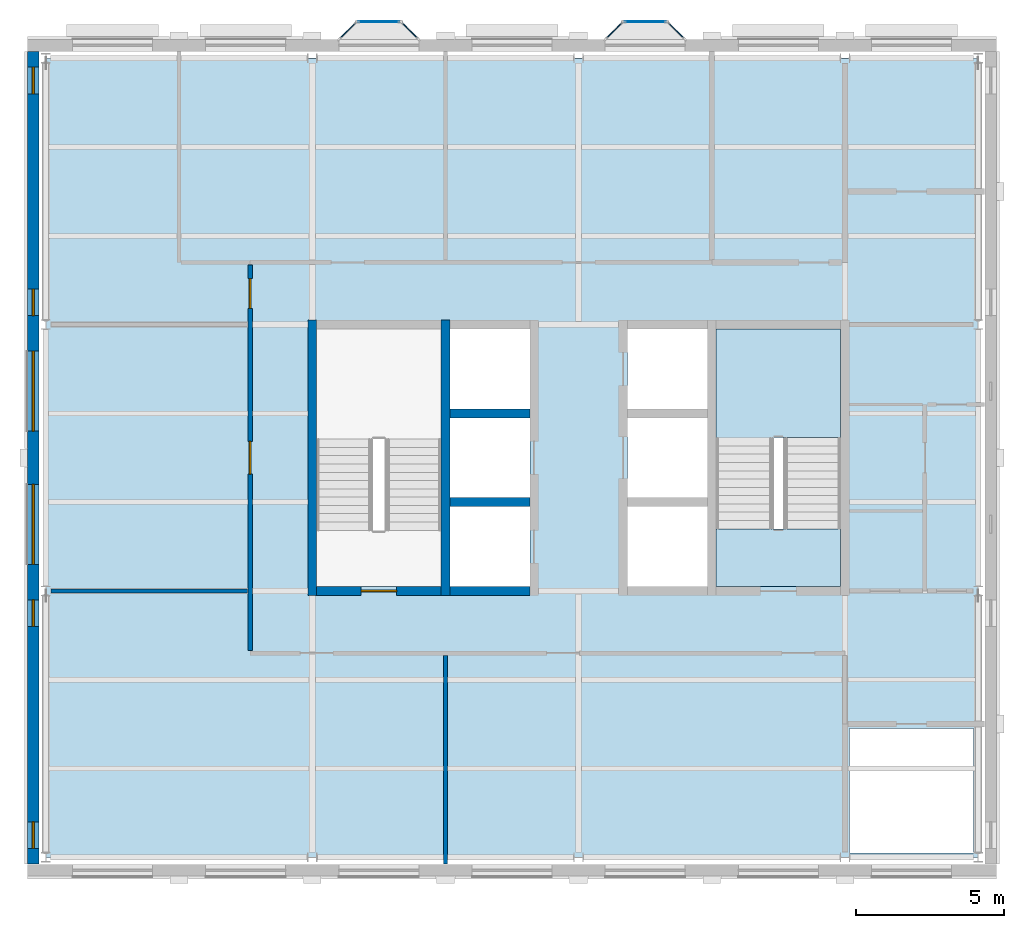
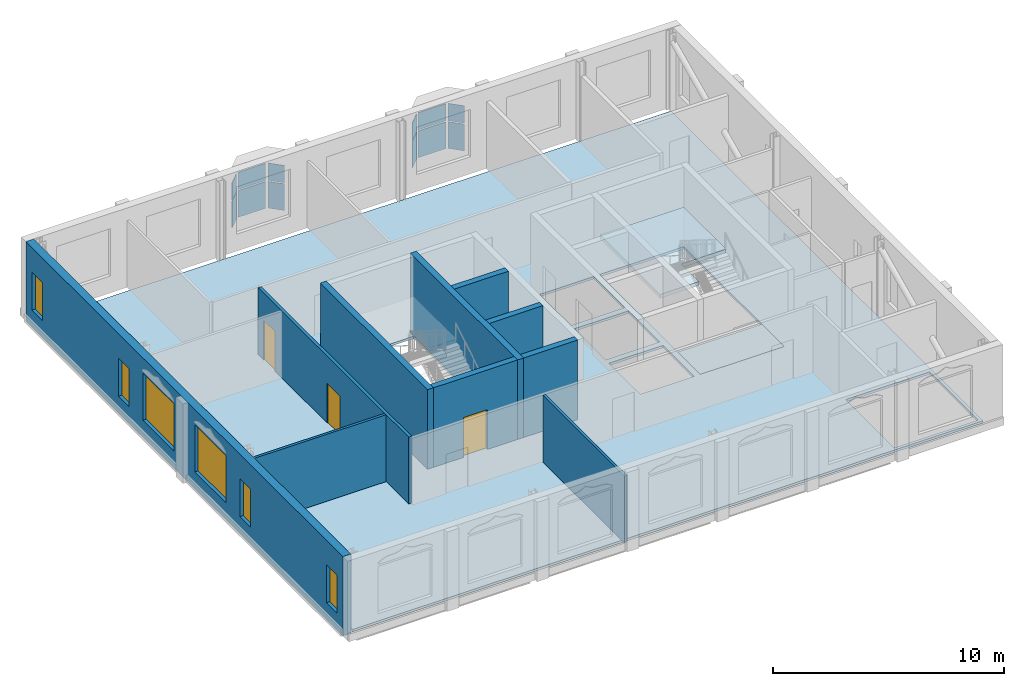
# One storey, part 3 of 9: 12 plates, 10 walls, 6 windows, 3 doors, 3 slabs, 9 openings, 7 elements without a shape of their own.
"""IFC4 building model written with IfcOpenShell, lengths in metres."""

from ifc_helpers import new_model, si_unit, direction, frame, frame_2d, origin, origin_2d, place, context, subcontext, project, spatial, polyline, rectangle, outline, extrude, material, layer, layer_set, type_object, element, fill, aggregate, save


model = new_model("IFC4")

# Units and contexts
model_context = context("Model", 3, precision=1e-05, world=origin(), true_north=direction((0.0, 1.0)))
body_context = subcontext(model_context, "Body", "Model", "MODEL_VIEW")
ifc_project = project(units=[si_unit("LENGTHUNIT", "METRE"), si_unit("AREAUNIT", "SQUARE_METRE"), si_unit("VOLUMEUNIT", "CUBIC_METRE"), si_unit("PLANEANGLEUNIT", "RADIAN"), si_unit("MASSUNIT", "GRAM", prefix="KILO")], contexts=[model_context])

# Site, building, storey
site_placement = place(None, origin())
site = spatial("IfcSite", under=ifc_project, at=site_placement, CompositionType="ELEMENT")
building_placement = place(site_placement, origin())
building = spatial("IfcBuilding", under=site, at=building_placement, Name="Hortulan Conservatory and Botanical Research Centre", CompositionType="ELEMENT")
storey_placement = place(building_placement, frame((0.0, 0.0, 31.800048828125)))
storey = spatial("IfcBuildingStorey", under=building, at=storey_placement, Name="L07", CompositionType="ELEMENT", Elevation=31.800048828125)

# Slab
ifc_material_1 = material(Name="Concrete N32 (32 MPa, AS 3600)", Category="concrete")
ifc_layer_1 = layer(ifc_material_1, 0.1298828125)
ifc_layer_set_1 = layer_set([ifc_layer_1], Name="Composite Floor Slab 130")
slab_type_1 = type_object("IfcSlabType", Name="Composite Floor Slab 130", PredefinedType="FLOOR", material=ifc_layer_set_1)
slab_1_placement = place(storey_placement, frame((0.0, 0.0, -0.130126953125)))
element("IfcSlab", 1, at=slab_1_placement, inside=storey, type_object=slab_type_1, Name="Floor slab", PredefinedType="FLOOR", context=body_context, shape_type="SweptSolid", body=[
    extrude(outline(polyline([(0.0, 0.0), (31.5, 0.0), (31.5, 27.0), (0.0, 27.0), (0.0, 0.0)]), holes=[polyline([(27.14990234375, 4.35009765625), (27.14990234375, 0.14990234375), (31.35009765625, 0.14990234375), (31.35009765625, 4.35009765625), (27.14990234375, 4.35009765625)]), polyline([(13.64990234375, 11.85009765625), (13.64990234375, 9.14990234375), (16.35009765625, 9.14990234375), (16.35009765625, 11.85009765625), (13.64990234375, 11.85009765625)]), polyline([(19.64990234375, 11.85009765625), (19.64990234375, 9.14990234375), (22.35009765625, 9.14990234375), (22.35009765625, 11.85009765625), (19.64990234375, 11.85009765625)]), polyline([(9.14990234375, 17.85009765625), (9.14990234375, 9.14990234375), (13.35009765625, 9.14990234375), (13.35009765625, 17.85009765625), (9.14990234375, 17.85009765625)]), polyline([(13.64990234375, 14.85009765625), (13.64990234375, 12.14990234375), (16.35009765625, 12.14990234375), (16.35009765625, 14.85009765625), (13.64990234375, 14.85009765625)]), polyline([(19.64990234375, 14.85009765625), (19.64990234375, 12.14990234375), (22.35009765625, 12.14990234375), (22.35009765625, 14.85009765625), (19.64990234375, 14.85009765625)]), polyline([(22.64990234375, 17.85009765625), (22.64990234375, 9.14990234375), (26.85009765625, 9.14990234375), (26.85009765625, 17.85009765625), (22.64990234375, 17.85009765625)]), polyline([(16.35009765625, 17.85009765625), (13.64990234375, 17.85009765625), (13.64990234375, 15.14990234375), (16.35009765625, 15.14990234375), (16.35009765625, 17.85009765625)]), polyline([(22.35009765625, 17.85009765625), (19.64990234375, 17.85009765625), (19.64990234375, 15.14990234375), (22.35009765625, 15.14990234375), (22.35009765625, 17.85009765625)])]), origin(), (0.0, 0.0, 1.0), 0.130126953125),
])

# Curtain wall, plates
ifc_material_2 = material(Name="Bronze-finished aluminium", Category="aluminium")
ifc_layer_2 = layer(ifc_material_2, 0.10009765625)
ifc_layer_set_2 = layer_set([ifc_layer_2], Name="Oriel Curtain Wall 1350 module")
curtain_wall_type = type_object("IfcCurtainWallType", Name="Oriel Curtain Wall 1350 module", PredefinedType="NOTDEFINED", material=ifc_layer_set_2)
curtain_wall_1_placement = place(storey_placement, origin())
curtain_wall_1 = element("IfcCurtainWall", 2, at=curtain_wall_1_placement, inside=storey, type_object=curtain_wall_type, Name="Oriel glazing", PredefinedType="NOTDEFINED")
ifc_material_3 = material(Name="Low-e laminated glass", Category="glass")
ifc_layer_3 = layer(ifc_material_3, 0.028076171875)
ifc_layer_set_3 = layer_set([ifc_layer_3], Name="Laminated Glass Panel 28")
plate_type = type_object("IfcPlateType", Name="Laminated Glass Panel 28", PredefinedType="CURTAIN_PANEL", material=ifc_layer_set_3)
plate_1_placement = place(storey_placement, frame((10.199951171875, 27.93603515625, 0.9599609375), z_axis=(0.0, 0.0, 1.0), x_axis=(0.707106781187, 0.707106781187, 0.0)))
plate_1 = element("IfcPlate", 3, at=plate_1_placement, type_object=plate_type, Name="CW2 panel 1.1", PredefinedType="CURTAIN_PANEL", context=body_context, shape_type="SweptSolid", body=[
    extrude(rectangle(XDim=0.728515625, YDim=0.028076171875, at=origin_2d()), origin(), (0.0, 0.0, 1.0), 1.409912109375),
])
plate_2_placement = place(storey_placement, frame((10.199951171875, 27.93603515625, 2.43017578125), z_axis=(0.0, 0.0, 1.0), x_axis=(0.707106781187, 0.707106781187, 0.0)))
plate_2 = element("IfcPlate", 4, at=plate_2_placement, type_object=plate_type, Name="CW2 panel 1.2", PredefinedType="CURTAIN_PANEL", context=body_context, shape_type="SweptSolid", body=[
    extrude(rectangle(XDim=0.728515625, YDim=0.028076171875, at=origin_2d()), origin(), (0.0, 0.0, 1.0), 0.909912109375),
])
aggregate(curtain_wall_1, [plate_1, plate_2])

curtain_wall_2_placement = place(storey_placement, origin())
curtain_wall_2 = element("IfcCurtainWall", 5, at=curtain_wall_2_placement, inside=storey, type_object=curtain_wall_type, Name="Oriel glazing", PredefinedType="NOTDEFINED")
plate_3_placement = place(storey_placement, frame((11.25, 28.236083984375, 0.9599609375), z_axis=(0.0, 0.0, 1.0), x_axis=(1.0, 0.0, 0.0)))
plate_3 = element("IfcPlate", 6, at=plate_3_placement, type_object=plate_type, Name="CW2 panel 1.1", PredefinedType="CURTAIN_PANEL", context=body_context, shape_type="SweptSolid", body=[
    extrude(rectangle(XDim=1.3798828125, YDim=0.028076171875, at=origin_2d()), origin(), (0.0, 0.0, 1.0), 1.409912109375),
])
plate_4_placement = place(storey_placement, frame((11.25, 28.236083984375, 2.43017578125), z_axis=(0.0, 0.0, 1.0), x_axis=(1.0, 0.0, 0.0)))
plate_4 = element("IfcPlate", 7, at=plate_4_placement, type_object=plate_type, Name="CW2 panel 1.2", PredefinedType="CURTAIN_PANEL", context=body_context, shape_type="SweptSolid", body=[
    extrude(rectangle(XDim=1.3798828125, YDim=0.028076171875, at=origin_2d()), origin(), (0.0, 0.0, 1.0), 0.909912109375),
])
aggregate(curtain_wall_2, [plate_3, plate_4])

curtain_wall_3_placement = place(storey_placement, origin())
curtain_wall_3 = element("IfcCurtainWall", 8, at=curtain_wall_3_placement, inside=storey, type_object=curtain_wall_type, Name="Oriel glazing", PredefinedType="NOTDEFINED")
plate_5_placement = place(storey_placement, frame((12.300048828125, 27.93603515625, 0.9599609375), z_axis=(0.0, 0.0, 1.0), x_axis=(0.707106781187, -0.707106781187, 0.0)))
plate_5 = element("IfcPlate", 9, at=plate_5_placement, type_object=plate_type, Name="CW2 panel 1.1", PredefinedType="CURTAIN_PANEL", context=body_context, shape_type="SweptSolid", body=[
    extrude(rectangle(XDim=0.728515625, YDim=0.028076171875, at=origin_2d()), origin(), (0.0, 0.0, 1.0), 1.409912109375),
])
plate_6_placement = place(storey_placement, frame((12.300048828125, 27.93603515625, 2.43017578125), z_axis=(0.0, 0.0, 1.0), x_axis=(0.707106781187, -0.707106781187, 0.0)))
plate_6 = element("IfcPlate", 10, at=plate_6_placement, type_object=plate_type, Name="CW2 panel 1.2", PredefinedType="CURTAIN_PANEL", context=body_context, shape_type="SweptSolid", body=[
    extrude(rectangle(XDim=0.728515625, YDim=0.028076171875, at=origin_2d()), origin(), (0.0, 0.0, 1.0), 0.909912109375),
])
aggregate(curtain_wall_3, [plate_5, plate_6])

curtain_wall_4_placement = place(storey_placement, origin())
curtain_wall_4 = element("IfcCurtainWall", 11, at=curtain_wall_4_placement, inside=storey, type_object=curtain_wall_type, Name="Oriel glazing", PredefinedType="NOTDEFINED")
plate_7_placement = place(storey_placement, frame((19.199951171875, 27.93603515625, 0.9599609375), z_axis=(0.0, 0.0, 1.0), x_axis=(0.707106781187, 0.707106781187, 0.0)))
plate_7 = element("IfcPlate", 12, at=plate_7_placement, type_object=plate_type, Name="CW2 panel 1.1", PredefinedType="CURTAIN_PANEL", context=body_context, shape_type="SweptSolid", body=[
    extrude(rectangle(XDim=0.728515625, YDim=0.028076171875, at=origin_2d()), origin(), (0.0, 0.0, 1.0), 1.409912109375),
])
plate_8_placement = place(storey_placement, frame((19.199951171875, 27.93603515625, 2.43017578125), z_axis=(0.0, 0.0, 1.0), x_axis=(0.707106781187, 0.707106781187, 0.0)))
plate_8 = element("IfcPlate", 13, at=plate_8_placement, type_object=plate_type, Name="CW2 panel 1.2", PredefinedType="CURTAIN_PANEL", context=body_context, shape_type="SweptSolid", body=[
    extrude(rectangle(XDim=0.728515625, YDim=0.028076171875, at=origin_2d()), origin(), (0.0, 0.0, 1.0), 0.909912109375),
])
aggregate(curtain_wall_4, [plate_7, plate_8])

curtain_wall_5_placement = place(storey_placement, origin())
curtain_wall_5 = element("IfcCurtainWall", 14, at=curtain_wall_5_placement, inside=storey, type_object=curtain_wall_type, Name="Oriel glazing", PredefinedType="NOTDEFINED")
plate_9_placement = place(storey_placement, frame((20.25, 28.236083984375, 0.9599609375), z_axis=(0.0, 0.0, 1.0), x_axis=(1.0, 0.0, 0.0)))
plate_9 = element("IfcPlate", 15, at=plate_9_placement, type_object=plate_type, Name="CW2 panel 1.1", PredefinedType="CURTAIN_PANEL", context=body_context, shape_type="SweptSolid", body=[
    extrude(rectangle(XDim=1.3798828125, YDim=0.028076171875, at=origin_2d()), origin(), (0.0, 0.0, 1.0), 1.409912109375),
])
plate_10_placement = place(storey_placement, frame((20.25, 28.236083984375, 2.43017578125), z_axis=(0.0, 0.0, 1.0), x_axis=(1.0, 0.0, 0.0)))
plate_10 = element("IfcPlate", 16, at=plate_10_placement, type_object=plate_type, Name="CW2 panel 1.2", PredefinedType="CURTAIN_PANEL", context=body_context, shape_type="SweptSolid", body=[
    extrude(rectangle(XDim=1.3798828125, YDim=0.028076171875, at=origin_2d()), origin(), (0.0, 0.0, 1.0), 0.909912109375),
])
aggregate(curtain_wall_5, [plate_9, plate_10])

curtain_wall_6_placement = place(storey_placement, origin())
curtain_wall_6 = element("IfcCurtainWall", 17, at=curtain_wall_6_placement, inside=storey, type_object=curtain_wall_type, Name="Oriel glazing", PredefinedType="NOTDEFINED")
plate_11_placement = place(storey_placement, frame((21.300048828125, 27.93603515625, 0.9599609375), z_axis=(0.0, 0.0, 1.0), x_axis=(0.707106781187, -0.707106781187, 0.0)))
plate_11 = element("IfcPlate", 18, at=plate_11_placement, type_object=plate_type, Name="CW2 panel 1.1", PredefinedType="CURTAIN_PANEL", context=body_context, shape_type="SweptSolid", body=[
    extrude(rectangle(XDim=0.728515625, YDim=0.028076171875, at=origin_2d()), origin(), (0.0, 0.0, 1.0), 1.409912109375),
])
plate_12_placement = place(storey_placement, frame((21.300048828125, 27.93603515625, 2.43017578125), z_axis=(0.0, 0.0, 1.0), x_axis=(0.707106781187, -0.707106781187, 0.0)))
plate_12 = element("IfcPlate", 19, at=plate_12_placement, type_object=plate_type, Name="CW2 panel 1.2", PredefinedType="CURTAIN_PANEL", context=body_context, shape_type="SweptSolid", body=[
    extrude(rectangle(XDim=0.728515625, YDim=0.028076171875, at=origin_2d()), origin(), (0.0, 0.0, 1.0), 0.909912109375),
])
aggregate(curtain_wall_6, [plate_11, plate_12])

# Stair, slab
ifc_material_4 = material(Name="Concrete N40 (40 MPa, AS 3600)", Category="concrete")
stair_type = type_object("IfcStairType", Name="Concrete Escape Stair 1950", PredefinedType="HALF_TURN_STAIR", material=ifc_material_4)
stair_placement = place(storey_placement, origin())
stair = element("IfcStair", 20, at=stair_placement, inside=storey, type_object=stair_type, Name="Stair T2 L07", PredefinedType="HALF_TURN_STAIR")
ifc_layer_4 = layer(ifc_material_4, 0.199951171875)
ifc_layer_set_4 = layer_set([ifc_layer_4], Name="Stair Landing 200")
slab_type_2 = type_object("IfcSlabType", Name="Stair Landing 200", PredefinedType="LANDING", material=ifc_layer_set_4)
slab_2_placement = place(storey_placement, frame((0.0, 0.0, 1.89990234375)))
slab_2 = element("IfcSlab", 21, at=slab_2_placement, type_object=slab_type_2, Name="Stair T2 L07 half landing 1", PredefinedType="LANDING", context=body_context, shape_type="SweptSolid", body=[
    extrude(outline(polyline([(26.85009765625, 14.179443359375), (24.60009765625, 14.179443359375), (24.60009765625, 12.639892578125), (22.64990234375, 12.639892578125), (22.64990234375, 14.179443359375), (22.64990234375, 14.179931640625), (22.64990234375, 14.18994140625), (22.64990234375, 17.85009765625), (26.85009765625, 17.85009765625), (26.85009765625, 14.18994140625), (26.85009765625, 14.179931640625), (26.85009765625, 14.179443359375)])), origin(), (0.0, 0.0, 1.0), 0.199951171875),
])
aggregate(stair, [slab_2])

# Slab
slab_3_placement = place(storey_placement, frame((0.0, 0.0, -0.199951171875)))
element("IfcSlab", 22, at=slab_3_placement, inside=storey, type_object=slab_type_2, Name="Stair T2 floor landing L07", PredefinedType="LANDING", context=body_context, shape_type="SweptSolid", body=[
    extrude(outline(polyline([(26.85009765625, 9.14990234375), (22.64990234375, 9.14990234375), (22.64990234375, 11.10009765625), (26.85009765625, 11.10009765625), (26.85009765625, 9.14990234375)])), origin(), (0.0, 0.0, 1.0), 0.199951171875),
])

# Walls
ifc_material_5 = material(Name="Concrete N50 (50 MPa, AS 3600)", Category="concrete")
ifc_layer_5 = layer(ifc_material_5, 0.300048828125)
ifc_layer_set_5 = layer_set([ifc_layer_5], Name="Core Wall 300 N50 FRL 240/120/120")
wall_type_1 = type_object("IfcWallType", Name="Core Wall 300 N50 FRL 240/120/120", PredefinedType="SHEAR", material=ifc_layer_set_5)
for number, where, z_axis, x_axis, name in (
    (23, (9.0, 8.85009765625, 0.0), (0.0, 0.0, 1.0), (0.0, 1.0, 0.0), "Reinforced concrete shaft wall"),
    (24, (13.5, 8.85009765625, 0.0), (0.0, 0.0, 1.0), (0.0, 1.0, 0.0), "Reinforced concrete shaft wall"),
):
    element("IfcWall", number, at=place(storey_placement, frame(where, z_axis=z_axis, x_axis=x_axis)), inside=storey, type_object=wall_type_1, Name=name, PredefinedType="SHEAR", context=body_context, shape_type="SweptSolid", body=[
        extrude(rectangle(XDim=9.2998046875, YDim=0.300048828125, at=frame_2d((4.64990234375, 0.0))), origin(), (0.0, 0.0, 1.0), 4.199951171875),
    ])

# Wall, opening, door
wall_1_placement = place(storey_placement, frame((9.14990234375, 9.0, 0.0), z_axis=(0.0, 0.0, 1.0), x_axis=(1.0, 0.0, 0.0)))
wall_1 = element("IfcWall", 25, at=wall_1_placement, inside=storey, type_object=wall_type_1, Name="Reinforced concrete shaft wall", PredefinedType="SHEAR", context=body_context, shape_type="SweptSolid", body=[
    extrude(rectangle(XDim=4.2001953125, YDim=0.300048828125, at=frame_2d((2.10009765625, 0.0))), origin(), (0.0, 0.0, 1.0), 4.199951171875),
])
opening_1_placement = place(wall_1_placement, frame((1.5, 0.0, 0.0)))
opening_1 = element("IfcOpeningElement", 26, at=opening_1_placement, cuts=wall_1, Name="Opening DT5", PredefinedType="OPENING", context=body_context, shape_type="SweptSolid", body=[
    extrude(rectangle(XDim=1.199951171875, YDim=2.10009765625, at=frame_2d((0.60009765625, 1.050048828125))), frame((0.0, 0.159912109375, 0.0), z_axis=(0.0, -1.0, 0.0), x_axis=(1.0, 0.0, 0.0)), (0.0, 0.0, 1.0), 0.320068359375),
])
ifc_material_6 = material(Name="Steel door leaf, insulated", Category="steel")
door_type_1 = type_object("IfcDoorType", Name="Stair Door 1200x2100 FRL -/120/30", OperationType="NOTDEFINED", PredefinedType="DOOR", material=ifc_material_6)
door_1_placement = place(opening_1_placement, origin())
door_1 = element("IfcDoor", 27, at=door_1_placement, inside=storey, type_object=door_type_1, Name="Door DT5 Exit Stair T1", OperationType="SINGLE_SWING_RIGHT", OverallHeight=2.10009765625, OverallWidth=1.199951171875, PredefinedType="DOOR", context=body_context, shape_type="SweptSolid", body=[
    extrude(rectangle(XDim=1.199951171875, YDim=2.10009765625, at=frame_2d((0.60009765625, 1.050048828125))), frame((0.0, 0.02490234375, 0.0), z_axis=(0.0, -1.0, 0.0), x_axis=(1.0, 0.0, 0.0)), (0.0, 0.0, 1.0), 0.050048828125),
])
fill(opening_1, door_1)

# Walls
for number, where, z_axis, x_axis, name in (
    (28, (13.64990234375, 9.0, 0.0), (0.0, 0.0, 1.0), (1.0, 0.0, 0.0), "Reinforced concrete shaft wall"),
    (29, (13.64990234375, 12.0, 0.0), (0.0, 0.0, 1.0), (1.0, 0.0, 0.0), "Reinforced concrete shaft wall"),
    (30, (13.64990234375, 15.0, 0.0), (0.0, 0.0, 1.0), (1.0, 0.0, 0.0), "Reinforced concrete shaft wall"),
):
    element("IfcWall", number, at=place(storey_placement, frame(where, z_axis=z_axis, x_axis=x_axis)), inside=storey, type_object=wall_type_1, Name=name, PredefinedType="SHEAR", context=body_context, shape_type="SweptSolid", body=[
        extrude(rectangle(XDim=2.7001953125, YDim=0.300048828125, at=frame_2d((1.35009765625, 0.0))), origin(), (0.0, 0.0, 1.0), 4.199951171875),
    ])

# Wall, openings, doors
ifc_material_7 = material(Name="Plasterboard on steel studs", Category="steel")
ifc_layer_6 = layer(ifc_material_7, 0.14990234375)
ifc_layer_set_6 = layer_set([ifc_layer_6], Name="Corridor Partition 150")
wall_type_2 = type_object("IfcWallType", Name="Corridor Partition 150", PredefinedType="PARTITIONING", material=ifc_layer_set_6)
wall_2_placement = place(storey_placement, frame((6.89990234375, 6.985107421875, 0.0), z_axis=(0.0, 0.0, 1.0), x_axis=(0.0, 1.0, 0.0)))
wall_2 = element("IfcWall", 31, at=wall_2_placement, inside=storey, type_object=wall_type_2, Name="Corridor partition", PredefinedType="PARTITIONING", context=body_context, shape_type="SweptSolid", body=[
    extrude(rectangle(XDim=13.02978515625, YDim=0.14990234375, at=frame_2d((6.514892578125, 0.0))), origin(), (0.0, 0.0, 1.0), 3.536865234375),
])
opening_2_placement = place(wall_2_placement, frame((11.56494140625, 0.0, 0.0)))
opening_2 = element("IfcOpeningElement", 32, at=opening_2_placement, cuts=wall_2, Name="Opening DT1", PredefinedType="OPENING", context=body_context, shape_type="SweptSolid", body=[
    extrude(rectangle(XDim=1.0, YDim=2.10009765625, at=frame_2d((0.5, 1.050048828125))), frame((0.0, 0.0849609375, 0.0), z_axis=(0.0, -1.0, 0.0), x_axis=(1.0, 0.0, 0.0)), (0.0, 0.0, 1.0), 0.169921875),
])
opening_3_placement = place(wall_2_placement, frame((5.965087890625, 0.0, 0.0)))
opening_3 = element("IfcOpeningElement", 33, at=opening_3_placement, cuts=wall_2, Name="Opening DT3", PredefinedType="OPENING", context=body_context, shape_type="SweptSolid", body=[
    extrude(rectangle(XDim=1.10009765625, YDim=2.10009765625, at=frame_2d((0.550048828125, 1.050048828125))), frame((0.0, 0.0849609375, 0.0), z_axis=(0.0, -1.0, 0.0), x_axis=(1.0, 0.0, 0.0)), (0.0, 0.0, 1.0), 0.169921875),
])
ifc_material_8 = material(Name="Timber door leaf with vision panel", Category="wood")
door_type_2 = type_object("IfcDoorType", Name="Laboratory Door 1100x2100", OperationType="NOTDEFINED", PredefinedType="DOOR", material=ifc_material_8)
door_2_placement = place(opening_3_placement, origin())
door_2 = element("IfcDoor", 34, at=door_2_placement, inside=storey, type_object=door_type_2, Name="Door DT3 Genomics Laboratory", OperationType="SINGLE_SWING_RIGHT", OverallHeight=2.10009765625, OverallWidth=1.10009765625, PredefinedType="DOOR", context=body_context, shape_type="SweptSolid", body=[
    extrude(rectangle(XDim=1.10009765625, YDim=2.10009765625, at=frame_2d((0.550048828125, 1.050048828125))), frame((0.0, 0.02490234375, 0.0), z_axis=(0.0, -1.0, 0.0), x_axis=(1.0, 0.0, 0.0)), (0.0, 0.0, 1.0), 0.050048828125),
])
fill(opening_3, door_2)
ifc_material_9 = material(Name="Timber door leaf in timber frame", Category="wood")
door_type_3 = type_object("IfcDoorType", Name="Single Door 1000x2100", OperationType="NOTDEFINED", PredefinedType="DOOR", material=ifc_material_9)
door_3_placement = place(opening_2_placement, origin())
door_3 = element("IfcDoor", 35, at=door_3_placement, inside=storey, type_object=door_type_3, Name="Door DT1 Autoclave and Wash-up Room", OperationType="SINGLE_SWING_RIGHT", OverallHeight=2.10009765625, OverallWidth=1.0, PredefinedType="DOOR", context=body_context, shape_type="SweptSolid", body=[
    extrude(rectangle(XDim=1.0, YDim=2.10009765625, at=frame_2d((0.5, 1.050048828125))), frame((0.0, 0.02490234375, 0.0), z_axis=(0.0, -1.0, 0.0), x_axis=(1.0, 0.0, 0.0)), (0.0, 0.0, 1.0), 0.050048828125),
])
fill(opening_2, door_3)

# Wall, openings, windows
ifc_material_10 = material(Name="Faience-faced brickwork masonry", Category="masonry")
ifc_layer_7 = layer(ifc_material_10, 0.39990234375)
ifc_layer_set_7 = layer_set([ifc_layer_7], Name="Faience-faced Masonry Cavity Wall 400")
wall_type_3 = type_object("IfcWallType", Name="Faience-faced Masonry Cavity Wall 400", PredefinedType="STANDARD", material=ifc_layer_set_7)
wall_3_placement = place(storey_placement, frame((-0.425048828125, -0.22509765625, 0.0), z_axis=(0.0, 0.0, 1.0), x_axis=(0.0, 1.0, 0.0)))
wall_3 = element("IfcWall", 36, at=wall_3_placement, inside=storey, type_object=wall_type_3, Name="E-EW-TW-L07-W2", PredefinedType="STANDARD", context=body_context, shape_type="SweptSolid", body=[
    extrude(rectangle(XDim=27.4501953125, YDim=0.39990234375, at=frame_2d((13.72509765625, 0.0))), origin(), (0.0, 0.0, 1.0), 4.199951171875),
])
opening_4_placement = place(wall_3_placement, frame((0.52490234375, 0.0, 0.89990234375)))
opening_4 = element("IfcOpeningElement", 37, at=opening_4_placement, cuts=wall_3, Name="Opening W5", PredefinedType="OPENING", context=body_context, shape_type="SweptSolid", body=[
    extrude(rectangle(XDim=0.89990234375, YDim=2.0, at=frame_2d((0.449951171875, 1.0))), frame((0.0, 0.2099609375, 0.0), z_axis=(0.0, -1.0, 0.0), x_axis=(1.0, 0.0, 0.0)), (0.0, 0.0, 1.0), 0.419921875),
])
opening_5_placement = place(wall_3_placement, frame((8.02490234375, 0.0, 0.89990234375)))
opening_5 = element("IfcOpeningElement", 38, at=opening_5_placement, cuts=wall_3, Name="Opening W5", PredefinedType="OPENING", context=body_context, shape_type="SweptSolid", body=[
    extrude(rectangle(XDim=0.89990234375, YDim=2.0, at=frame_2d((0.449951171875, 1.0))), frame((0.0, 0.2099609375, 0.0), z_axis=(0.0, -1.0, 0.0), x_axis=(1.0, 0.0, 0.0)), (0.0, 0.0, 1.0), 0.419921875),
])
opening_6_placement = place(wall_3_placement, frame((10.125, 0.0, 0.89990234375)))
opening_6 = element("IfcOpeningElement", 39, at=opening_6_placement, cuts=wall_3, Name="Opening W4", PredefinedType="OPENING", context=body_context, shape_type="SweptSolid", body=[
    extrude(rectangle(XDim=2.699951171875, YDim=2.5, at=frame_2d((1.35009765625, 1.25))), frame((0.0, 0.2099609375, 0.0), z_axis=(0.0, -1.0, 0.0), x_axis=(1.0, 0.0, 0.0)), (0.0, 0.0, 1.0), 0.419921875),
])
opening_7_placement = place(wall_3_placement, frame((14.625, 0.0, 0.89990234375)))
opening_7 = element("IfcOpeningElement", 40, at=opening_7_placement, cuts=wall_3, Name="Opening W4", PredefinedType="OPENING", context=body_context, shape_type="SweptSolid", body=[
    extrude(rectangle(XDim=2.699951171875, YDim=2.5, at=frame_2d((1.35009765625, 1.25))), frame((0.0, 0.2099609375, 0.0), z_axis=(0.0, -1.0, 0.0), x_axis=(1.0, 0.0, 0.0)), (0.0, 0.0, 1.0), 0.419921875),
])
opening_8_placement = place(wall_3_placement, frame((18.52490234375, 0.0, 0.89990234375)))
opening_8 = element("IfcOpeningElement", 41, at=opening_8_placement, cuts=wall_3, Name="Opening W5", PredefinedType="OPENING", context=body_context, shape_type="SweptSolid", body=[
    extrude(rectangle(XDim=0.89990234375, YDim=2.0, at=frame_2d((0.449951171875, 1.0))), frame((0.0, 0.2099609375, 0.0), z_axis=(0.0, -1.0, 0.0), x_axis=(1.0, 0.0, 0.0)), (0.0, 0.0, 1.0), 0.419921875),
])
opening_9_placement = place(wall_3_placement, frame((26.02490234375, 0.0, 0.89990234375)))
opening_9 = element("IfcOpeningElement", 42, at=opening_9_placement, cuts=wall_3, Name="Opening W5", PredefinedType="OPENING", context=body_context, shape_type="SweptSolid", body=[
    extrude(rectangle(XDim=0.89990234375, YDim=2.0, at=frame_2d((0.449951171875, 1.0))), frame((0.0, 0.2099609375, 0.0), z_axis=(0.0, -1.0, 0.0), x_axis=(1.0, 0.0, 0.0)), (0.0, 0.0, 1.0), 0.419921875),
])
ifc_material_11 = material(Name="Bronze-finished aluminium frame with low-e laminated double glazing", Category="aluminium")
window_type_1 = type_object("IfcWindowType", Name="Faience Pier Window 900x2000", PartitioningType="SINGLE_PANEL", PredefinedType="WINDOW", material=ifc_material_11)
window_1_placement = place(opening_4_placement, origin())
window_1 = element("IfcWindow", 43, at=window_1_placement, inside=storey, type_object=window_type_1, Name="Faience Pier window", OverallHeight=2.0, OverallWidth=0.89990234375, PartitioningType="SINGLE_PANEL", PredefinedType="WINDOW", context=body_context, shape_type="SweptSolid", body=[
    extrude(rectangle(XDim=0.89990234375, YDim=2.0, at=frame_2d((0.449951171875, 1.0))), frame((0.0, 0.030029296875, 0.0), z_axis=(0.0, -1.0, 0.0), x_axis=(1.0, 0.0, 0.0)), (0.0, 0.0, 1.0), 0.06005859375),
])
fill(opening_4, window_1)
window_2_placement = place(opening_5_placement, origin())
window_2 = element("IfcWindow", 44, at=window_2_placement, inside=storey, type_object=window_type_1, Name="Faience Pier window", OverallHeight=2.0, OverallWidth=0.89990234375, PartitioningType="SINGLE_PANEL", PredefinedType="WINDOW", context=body_context, shape_type="SweptSolid", body=[
    extrude(rectangle(XDim=0.89990234375, YDim=2.0, at=frame_2d((0.449951171875, 1.0))), frame((0.0, 0.030029296875, 0.0), z_axis=(0.0, -1.0, 0.0), x_axis=(1.0, 0.0, 0.0)), (0.0, 0.0, 1.0), 0.06005859375),
])
fill(opening_5, window_2)
window_3_placement = place(opening_8_placement, origin())
window_3 = element("IfcWindow", 45, at=window_3_placement, inside=storey, type_object=window_type_1, Name="Faience Pier window", OverallHeight=2.0, OverallWidth=0.89990234375, PartitioningType="SINGLE_PANEL", PredefinedType="WINDOW", context=body_context, shape_type="SweptSolid", body=[
    extrude(rectangle(XDim=0.89990234375, YDim=2.0, at=frame_2d((0.449951171875, 1.0))), frame((0.0, 0.030029296875, 0.0), z_axis=(0.0, -1.0, 0.0), x_axis=(1.0, 0.0, 0.0)), (0.0, 0.0, 1.0), 0.06005859375),
])
fill(opening_8, window_3)
window_4_placement = place(opening_9_placement, origin())
window_4 = element("IfcWindow", 46, at=window_4_placement, inside=storey, type_object=window_type_1, Name="Faience Pier window", OverallHeight=2.0, OverallWidth=0.89990234375, PartitioningType="SINGLE_PANEL", PredefinedType="WINDOW", context=body_context, shape_type="SweptSolid", body=[
    extrude(rectangle(XDim=0.89990234375, YDim=2.0, at=frame_2d((0.449951171875, 1.0))), frame((0.0, 0.030029296875, 0.0), z_axis=(0.0, -1.0, 0.0), x_axis=(1.0, 0.0, 0.0)), (0.0, 0.0, 1.0), 0.06005859375),
])
fill(opening_9, window_4)
window_type_2 = type_object("IfcWindowType", Name="Faience Window 2700x2500", PartitioningType="SINGLE_PANEL", PredefinedType="WINDOW", material=ifc_material_11)
window_5_placement = place(opening_6_placement, origin())
window_5 = element("IfcWindow", 47, at=window_5_placement, inside=storey, type_object=window_type_2, Name="Faience window", OverallHeight=2.5, OverallWidth=2.699951171875, PartitioningType="SINGLE_PANEL", PredefinedType="WINDOW", context=body_context, shape_type="SweptSolid", body=[
    extrude(rectangle(XDim=2.699951171875, YDim=2.5, at=frame_2d((1.35009765625, 1.25))), frame((0.0, 0.030029296875, 0.0), z_axis=(0.0, -1.0, 0.0), x_axis=(1.0, 0.0, 0.0)), (0.0, 0.0, 1.0), 0.06005859375),
])
fill(opening_6, window_5)
window_6_placement = place(opening_7_placement, origin())
window_6 = element("IfcWindow", 48, at=window_6_placement, inside=storey, type_object=window_type_2, Name="Faience window", OverallHeight=2.5, OverallWidth=2.699951171875, PartitioningType="SINGLE_PANEL", PredefinedType="WINDOW", context=body_context, shape_type="SweptSolid", body=[
    extrude(rectangle(XDim=2.699951171875, YDim=2.5, at=frame_2d((1.35009765625, 1.25))), frame((0.0, 0.030029296875, 0.0), z_axis=(0.0, -1.0, 0.0), x_axis=(1.0, 0.0, 0.0)), (0.0, 0.0, 1.0), 0.06005859375),
])
fill(opening_7, window_6)

# Walls
ifc_layer_8 = layer(ifc_material_7, 0.125)
ifc_layer_set_8 = layer_set([ifc_layer_8], Name="Partition 125")
wall_type_4 = type_object("IfcWallType", Name="Partition 125", PredefinedType="PARTITIONING", material=ifc_layer_set_8)
wall_4_placement = place(storey_placement, frame((13.5, -0.22607421875, 0.0), z_axis=(0.0, 0.0, 1.0), x_axis=(0.0, 1.0, 0.0)))
element("IfcWall", 49, at=wall_4_placement, inside=storey, type_object=wall_type_4, Name="Partition", PredefinedType="PARTITIONING", context=body_context, shape_type="SweptSolid", body=[
    extrude(rectangle(XDim=7.041015625, YDim=0.125, at=frame_2d((3.5205078125, 0.0))), origin(), (0.0, 0.0, 1.0), 3.536865234375),
])
wall_5_placement = place(storey_placement, frame((0.16552734375, 9.0, 0.0), z_axis=(0.0, 0.0, 1.0), x_axis=(1.0, 0.0, 0.0)))
element("IfcWall", 50, at=wall_5_placement, inside=storey, type_object=wall_type_4, Name="Partition", PredefinedType="PARTITIONING", context=body_context, shape_type="SweptSolid", body=[
    extrude(rectangle(XDim=6.6494140625, YDim=0.125, at=frame_2d((3.32470703125, 0.0))), origin(), (0.0, 0.0, 1.0), 3.536865234375),
])

save(model, "model.ifc")
